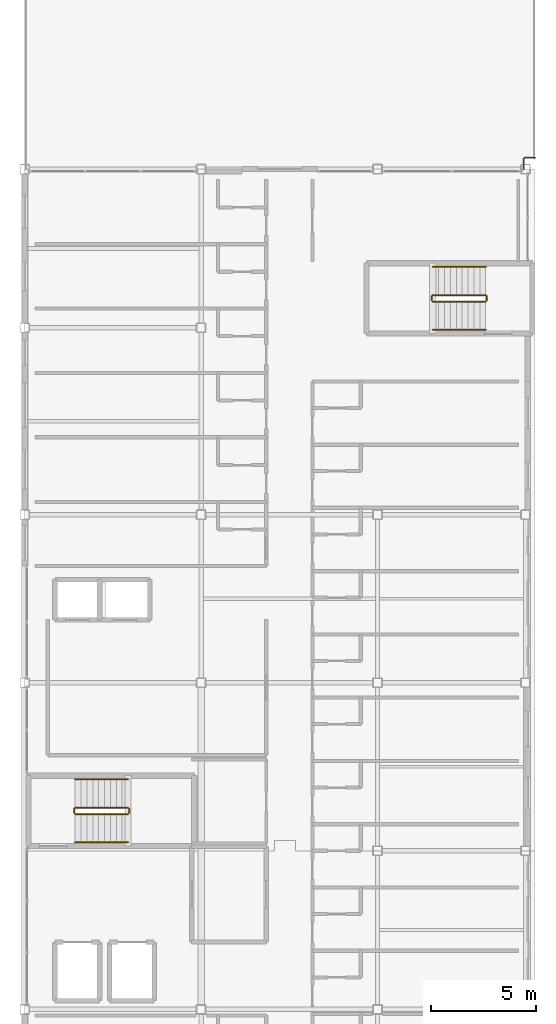
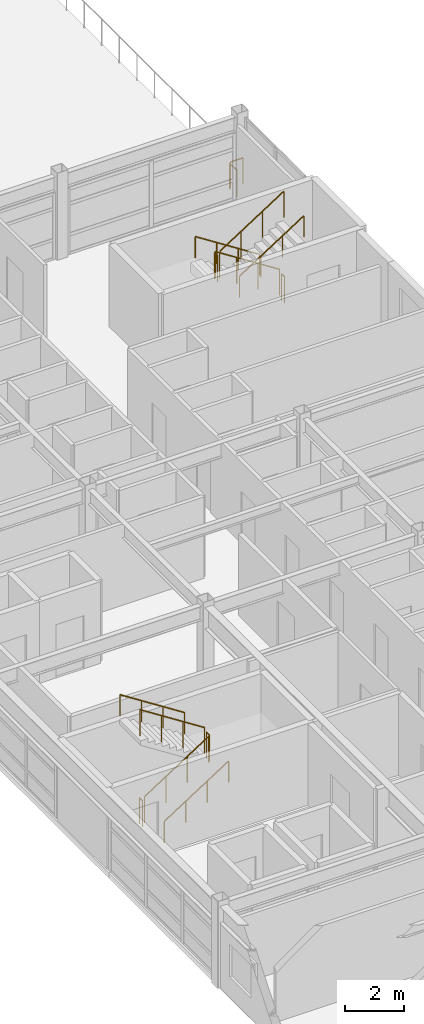
# One storey, part 27 of 28: 14 railings.
"""IFC4 building model written with IfcOpenShell, lengths in metres."""

from ifc_helpers import new_model, si_unit, direction, frame, origin, origin_2d, place, context, subcontext, project, spatial, circle, extrude, material, type_object, element, save


model = new_model("IFC4")

# Units and contexts
model_context = context("Model", 3, precision=1e-05, world=origin(), true_north=direction((0.0, 1.0)))
body_context = subcontext(model_context, "Body", "Model", "MODEL_VIEW")
ifc_project = project(units=[si_unit("LENGTHUNIT", "METRE"), si_unit("AREAUNIT", "SQUARE_METRE"), si_unit("VOLUMEUNIT", "CUBIC_METRE"), si_unit("PLANEANGLEUNIT", "RADIAN"), si_unit("MASSUNIT", "GRAM", prefix="KILO")], contexts=[model_context])

# Site, building, storey
site_placement = place(None, origin())
site = spatial("IfcSite", under=ifc_project, at=site_placement, CompositionType="ELEMENT")
building_placement = place(site_placement, origin())
building = spatial("IfcBuilding", under=site, at=building_placement, Name="Kazehara Bluff Congress Hotel", CompositionType="ELEMENT")
storey_placement = place(building_placement, frame((0.0, 0.0, 42.60009765625)))
storey = spatial("IfcBuildingStorey", under=building, at=storey_placement, Name="L10", CompositionType="ELEMENT", Elevation=42.60009765625)

# Railings
ifc_material_1 = material(Name="Painted galvanised steel", Category="steel")
railing_type_1 = type_object("IfcRailingType", Name="TP-GRD-EXT", PredefinedType="BALUSTRADE", material=ifc_material_1)
railing_1_placement = place(storey_placement, frame((167.449951171875, 80.89990234375, 0.0)))
element("IfcRailing", 1, at=railing_1_placement, inside=storey, type_object=railing_type_1, Name="Executive North Sky Terrace edge guard 1", PredefinedType="BALUSTRADE", context=body_context, shape_type="SweptSolid", body=[
    extrude(circle(Radius=0.02392578125, at=origin_2d()), frame((0.0, 0.0, 1.076171875), z_axis=(0.0, 1.0, 0.0), x_axis=(-1.0, 0.0, 0.0)), (0.0, 0.0, 1.0), 0.5),
    extrude(circle(Radius=0.02099609375, at=origin_2d()), origin(), (0.0, 0.0, 1.0), 1.052001953125),
    extrude(circle(Radius=0.02099609375, at=origin_2d()), frame((0.0, 0.5, 0.0)), (0.0, 0.0, 1.0), 1.052001953125),
])
railing_2_placement = place(storey_placement, frame((167.5, 81.449951171875, 0.0)))
element("IfcRailing", 2, at=railing_2_placement, inside=storey, type_object=railing_type_1, Name="Executive North Sky Terrace edge guard 2", PredefinedType="BALUSTRADE", context=body_context, shape_type="SweptSolid", body=[
    extrude(circle(Radius=0.02392578125, at=origin_2d()), frame((0.0, 0.0, 1.076171875), z_axis=(1.0, 0.0, 0.0), x_axis=(0.0, 1.0, 0.0)), (0.0, 0.0, 1.0), 0.5),
    extrude(circle(Radius=0.02099609375, at=origin_2d()), origin(), (0.0, 0.0, 1.0), 1.052001953125),
    extrude(circle(Radius=0.02099609375, at=origin_2d()), frame((0.5, 0.0, 0.0)), (0.0, 0.0, 1.0), 1.052001953125),
])
ifc_material_2 = material(Name="Brushed stainless steel", Category="steel")
railing_type_2 = type_object("IfcRailingType", Name="TP-GRD-INT", PredefinedType="GUARDRAIL", material=ifc_material_2)
railing_3_placement = place(storey_placement, frame((146.10009765625, 50.199951171875, 0.179931640625)))
element("IfcRailing", 3, at=railing_3_placement, inside=storey, type_object=railing_type_2, Name="L10 ST-11 stair guard 1", PredefinedType="GUARDRAIL", context=body_context, shape_type="SweptSolid", body=[
    extrude(circle(Radius=0.02392578125, at=origin_2d()), frame((0.0, 0.0, 1.076171875), z_axis=(0.841199657755, 0.0, 0.540724639528), x_axis=(0.0, 1.0, 0.0)), (0.0, 0.0, 1.0), 2.995849609375),
    extrude(circle(Radius=0.02099609375, at=origin_2d()), origin(), (0.0, 0.0, 1.0), 1.052001953125),
    extrude(circle(Radius=0.02099609375, at=origin_2d()), frame((0.840087890625, 0.0, 0.5400390625)), (0.0, 0.0, 1.0), 1.052001953125),
    extrude(circle(Radius=0.02099609375, at=origin_2d()), frame((1.679931640625, 0.0, 1.079833984375)), (0.0, 0.0, 1.0), 1.052001953125),
    extrude(circle(Radius=0.02099609375, at=origin_2d()), frame((2.52001953125, 0.0, 1.619873046875)), (0.0, 0.0, 1.0), 1.052001953125),
])
railing_4_placement = place(storey_placement, frame((148.669921875, 50.25, 1.7998046875)))
element("IfcRailing", 4, at=railing_4_placement, inside=storey, type_object=railing_type_2, Name="L10 ST-11 stair guard 2", PredefinedType="GUARDRAIL", context=body_context, shape_type="SweptSolid", body=[
    extrude(circle(Radius=0.02392578125, at=origin_2d()), frame((0.0, 0.0, 1.076171875), z_axis=(0.0, 1.0, 0.0), x_axis=(-1.0, 0.0, 0.0)), (0.0, 0.0, 1.0), 0.199951171875),
    extrude(circle(Radius=0.02099609375, at=origin_2d()), origin(), (0.0, 0.0, 1.0), 1.052001953125),
    extrude(circle(Radius=0.02099609375, at=origin_2d()), frame((0.0, 0.199951171875, 0.0)), (0.0, 0.0, 1.0), 1.052001953125),
])
railing_5_placement = place(storey_placement, frame((148.6201171875, 50.5, 1.97998046875)))
element("IfcRailing", 5, at=railing_5_placement, inside=storey, type_object=railing_type_2, Name="L10 ST-11 stair guard 3", PredefinedType="GUARDRAIL", context=body_context, shape_type="SweptSolid", body=[
    extrude(circle(Radius=0.02392578125, at=origin_2d()), frame((0.0, 0.0, 1.076171875), z_axis=(-0.841199657755, 0.0, 0.540724639528), x_axis=(0.0, -1.0, 0.0)), (0.0, 0.0, 1.0), 2.995849609375),
    extrude(circle(Radius=0.02099609375, at=origin_2d()), origin(), (0.0, 0.0, 1.0), 1.052001953125),
    extrude(circle(Radius=0.02099609375, at=origin_2d()), frame((-0.840087890625, 0.0, 0.5400390625)), (0.0, 0.0, 1.0), 1.052001953125),
    extrude(circle(Radius=0.02099609375, at=origin_2d()), frame((-1.679931640625, 0.0, 1.079833984375)), (0.0, 0.0, 1.0), 1.052001953125),
    extrude(circle(Radius=0.02099609375, at=origin_2d()), frame((-2.52001953125, 0.0, 1.619873046875)), (0.0, 0.0, 1.0), 1.052001953125),
])
railing_6_placement = place(storey_placement, frame((146.050048828125, 50.25, 0.0)))
element("IfcRailing", 6, at=railing_6_placement, inside=storey, type_object=railing_type_2, Name="L10 ST-11 stair guard 4", PredefinedType="GUARDRAIL", context=body_context, shape_type="SweptSolid", body=[
    extrude(circle(Radius=0.02392578125, at=origin_2d()), frame((0.0, 0.0, 1.076171875), z_axis=(0.0, 1.0, 0.0), x_axis=(-1.0, 0.0, 0.0)), (0.0, 0.0, 1.0), 0.199951171875),
    extrude(circle(Radius=0.02099609375, at=origin_2d()), origin(), (0.0, 0.0, 1.0), 1.052001953125),
    extrude(circle(Radius=0.02099609375, at=origin_2d()), frame((0.0, 0.199951171875, 0.0)), (0.0, 0.0, 1.0), 1.052001953125),
])
railing_7_placement = place(storey_placement, frame((165.64990234375, 74.89990234375, 0.179931640625)))
element("IfcRailing", 7, at=railing_7_placement, inside=storey, type_object=railing_type_2, Name="L10 ST-12 stair guard 1", PredefinedType="GUARDRAIL", context=body_context, shape_type="SweptSolid", body=[
    extrude(circle(Radius=0.02392578125, at=origin_2d()), frame((0.0, 0.0, 1.076171875), z_axis=(-0.841199657755, 0.0, 0.540724639528), x_axis=(0.0, -1.0, 0.0)), (0.0, 0.0, 1.0), 2.995849609375),
    extrude(circle(Radius=0.02099609375, at=origin_2d()), origin(), (0.0, 0.0, 1.0), 1.052001953125),
    extrude(circle(Radius=0.02099609375, at=origin_2d()), frame((-0.840087890625, 0.0, 0.5400390625)), (0.0, 0.0, 1.0), 1.052001953125),
    extrude(circle(Radius=0.02099609375, at=origin_2d()), frame((-1.679931640625, 0.0, 1.079833984375)), (0.0, 0.0, 1.0), 1.052001953125),
    extrude(circle(Radius=0.02099609375, at=origin_2d()), frame((-2.52001953125, 0.0, 1.619873046875)), (0.0, 0.0, 1.0), 1.052001953125),
])
railing_8_placement = place(storey_placement, frame((163.080078125, 74.85009765625, 1.7998046875)))
element("IfcRailing", 8, at=railing_8_placement, inside=storey, type_object=railing_type_2, Name="L10 ST-12 stair guard 2", PredefinedType="GUARDRAIL", context=body_context, shape_type="SweptSolid", body=[
    extrude(circle(Radius=0.02392578125, at=origin_2d()), frame((0.0, 0.0, 1.076171875), z_axis=(0.0, -1.0, 0.0), x_axis=(1.0, 0.0, 0.0)), (0.0, 0.0, 1.0), 0.2001953125),
    extrude(circle(Radius=0.02099609375, at=origin_2d()), origin(), (0.0, 0.0, 1.0), 1.052001953125),
    extrude(circle(Radius=0.02099609375, at=origin_2d()), frame((0.0, -0.2001953125, 0.0)), (0.0, 0.0, 1.0), 1.052001953125),
])
railing_9_placement = place(storey_placement, frame((163.1298828125, 74.60009765625, 1.97998046875)))
element("IfcRailing", 9, at=railing_9_placement, inside=storey, type_object=railing_type_2, Name="L10 ST-12 stair guard 3", PredefinedType="GUARDRAIL", context=body_context, shape_type="SweptSolid", body=[
    extrude(circle(Radius=0.02392578125, at=origin_2d()), frame((0.0, 0.0, 1.076171875), z_axis=(0.841199657755, 0.0, 0.540724639528), x_axis=(0.0, 1.0, 0.0)), (0.0, 0.0, 1.0), 2.995849609375),
    extrude(circle(Radius=0.02099609375, at=origin_2d()), origin(), (0.0, 0.0, 1.0), 1.052001953125),
    extrude(circle(Radius=0.02099609375, at=origin_2d()), frame((0.840087890625, 0.0, 0.5400390625)), (0.0, 0.0, 1.0), 1.052001953125),
    extrude(circle(Radius=0.02099609375, at=origin_2d()), frame((1.679931640625, 0.0, 1.079833984375)), (0.0, 0.0, 1.0), 1.052001953125),
    extrude(circle(Radius=0.02099609375, at=origin_2d()), frame((2.52001953125, 0.0, 1.619873046875)), (0.0, 0.0, 1.0), 1.052001953125),
])
railing_10_placement = place(storey_placement, frame((165.699951171875, 74.85009765625, 0.0)))
element("IfcRailing", 10, at=railing_10_placement, inside=storey, type_object=railing_type_2, Name="L10 ST-12 stair guard 4", PredefinedType="GUARDRAIL", context=body_context, shape_type="SweptSolid", body=[
    extrude(circle(Radius=0.02392578125, at=origin_2d()), frame((0.0, 0.0, 1.076171875), z_axis=(0.0, -1.0, 0.0), x_axis=(1.0, 0.0, 0.0)), (0.0, 0.0, 1.0), 0.2001953125),
    extrude(circle(Radius=0.02099609375, at=origin_2d()), origin(), (0.0, 0.0, 1.0), 1.052001953125),
    extrude(circle(Radius=0.02099609375, at=origin_2d()), frame((0.0, -0.2001953125, 0.0)), (0.0, 0.0, 1.0), 1.052001953125),
])
ifc_material_3 = material(Name="Brushed stainless steel", Category="steel")
railing_type_3 = type_object("IfcRailingType", Name="TP-HR-INT", PredefinedType="HANDRAIL", material=ifc_material_3)
railing_11_placement = place(storey_placement, frame((146.10009765625, 48.85009765625, 0.179931640625)))
element("IfcRailing", 11, at=railing_11_placement, inside=storey, type_object=railing_type_3, Name="L10 ST-11 stair handrail 1", PredefinedType="HANDRAIL", context=body_context, shape_type="SweptSolid", body=[
    extrude(circle(Radius=0.02392578125, at=origin_2d()), frame((0.0, 0.0, 0.8759765625), z_axis=(0.841199657755, 0.0, 0.540724639528), x_axis=(0.0, 1.0, 0.0)), (0.0, 0.0, 1.0), 2.995849609375),
    extrude(circle(Radius=0.02099609375, at=origin_2d()), origin(), (0.0, 0.0, 1.0), 0.851806640625),
    extrude(circle(Radius=0.02099609375, at=origin_2d()), frame((0.840087890625, 0.0, 0.5400390625)), (0.0, 0.0, 1.0), 0.851806640625),
    extrude(circle(Radius=0.02099609375, at=origin_2d()), frame((1.679931640625, 0.0, 1.079833984375)), (0.0, 0.0, 1.0), 0.851806640625),
    extrude(circle(Radius=0.02099609375, at=origin_2d()), frame((2.52001953125, 0.0, 1.619873046875)), (0.0, 0.0, 1.0), 0.851806640625),
])
for number, where, name in (
    (12, (148.6201171875, 51.85009765625, 1.97998046875), "L10 ST-11 stair handrail 2"),
    (13, (165.64990234375, 76.25, 0.179931640625), "L10 ST-12 stair handrail 1"),
):
    element("IfcRailing", number, at=place(storey_placement, frame(where)), inside=storey, type_object=railing_type_3, Name=name, PredefinedType="HANDRAIL", context=body_context, shape_type="SweptSolid", body=[
        extrude(circle(Radius=0.02392578125, at=origin_2d()), frame((0.0, 0.0, 0.8759765625), z_axis=(-0.841199657755, 0.0, 0.540724639528), x_axis=(0.0, -1.0, 0.0)), (0.0, 0.0, 1.0), 2.995849609375),
        extrude(circle(Radius=0.02099609375, at=origin_2d()), origin(), (0.0, 0.0, 1.0), 0.851806640625),
        extrude(circle(Radius=0.02099609375, at=origin_2d()), frame((-0.840087890625, 0.0, 0.5400390625)), (0.0, 0.0, 1.0), 0.851806640625),
        extrude(circle(Radius=0.02099609375, at=origin_2d()), frame((-1.679931640625, 0.0, 1.079833984375)), (0.0, 0.0, 1.0), 0.851806640625),
        extrude(circle(Radius=0.02099609375, at=origin_2d()), frame((-2.52001953125, 0.0, 1.619873046875)), (0.0, 0.0, 1.0), 0.851806640625),
    ])
railing_12_placement = place(storey_placement, frame((163.1298828125, 73.25, 1.97998046875)))
element("IfcRailing", 14, at=railing_12_placement, inside=storey, type_object=railing_type_3, Name="L10 ST-12 stair handrail 2", PredefinedType="HANDRAIL", context=body_context, shape_type="SweptSolid", body=[
    extrude(circle(Radius=0.02392578125, at=origin_2d()), frame((0.0, 0.0, 0.8759765625), z_axis=(0.841199657755, 0.0, 0.540724639528), x_axis=(0.0, 1.0, 0.0)), (0.0, 0.0, 1.0), 2.995849609375),
    extrude(circle(Radius=0.02099609375, at=origin_2d()), origin(), (0.0, 0.0, 1.0), 0.851806640625),
    extrude(circle(Radius=0.02099609375, at=origin_2d()), frame((0.840087890625, 0.0, 0.5400390625)), (0.0, 0.0, 1.0), 0.851806640625),
    extrude(circle(Radius=0.02099609375, at=origin_2d()), frame((1.679931640625, 0.0, 1.079833984375)), (0.0, 0.0, 1.0), 0.851806640625),
    extrude(circle(Radius=0.02099609375, at=origin_2d()), frame((2.52001953125, 0.0, 1.619873046875)), (0.0, 0.0, 1.0), 0.851806640625),
])

save(model, "model.ifc")
